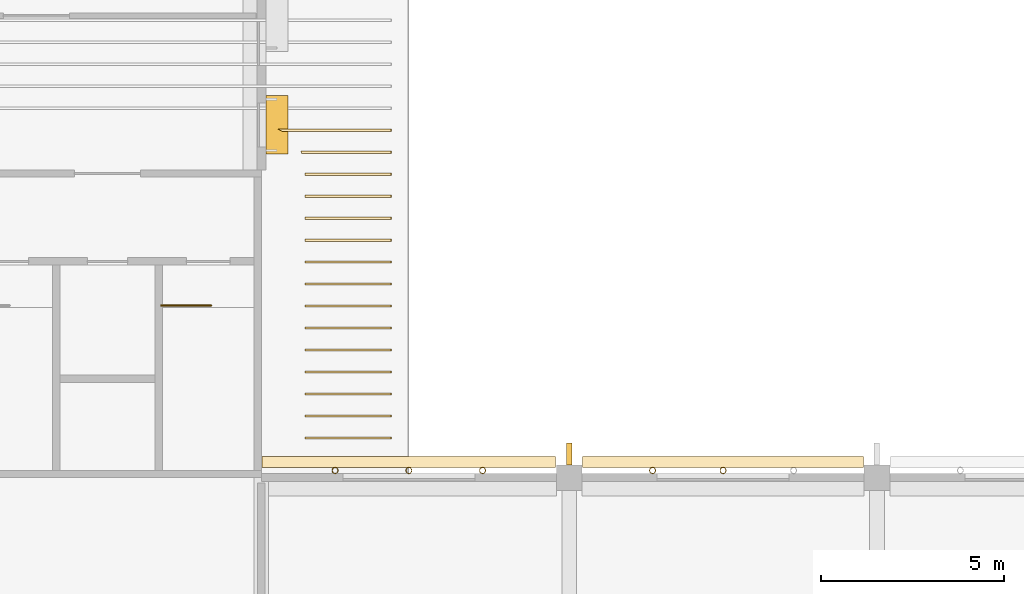
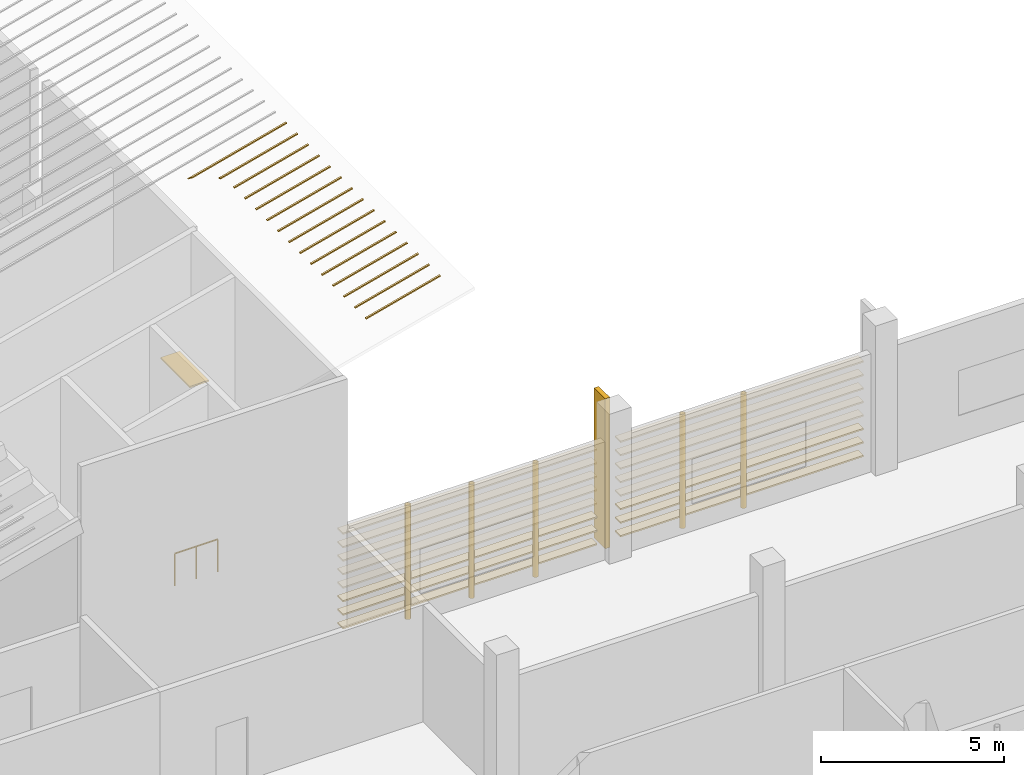
# One storey, part 47 of 82: 31 coverings, 7 shading devices, 1 railing.
"""IFC4 building model written with IfcOpenShell, lengths in metres."""

from ifc_helpers import new_model, si_unit, direction, frame, origin, origin_2d, place, context, subcontext, project, spatial, polyline, rectangle, circle, hollow_circle, outline, extrude, material, layer, layer_set, material_profile, profile_set, type_object, element, save


model = new_model("IFC4")

# Units and contexts
model_context = context("Model", 3, precision=1e-05, world=origin(), true_north=direction((0.0, 1.0)))
body_context = subcontext(model_context, "Body", "Model", "MODEL_VIEW")
ifc_project = project(units=[si_unit("LENGTHUNIT", "METRE"), si_unit("AREAUNIT", "SQUARE_METRE"), si_unit("VOLUMEUNIT", "CUBIC_METRE"), si_unit("PLANEANGLEUNIT", "RADIAN"), si_unit("MASSUNIT", "GRAM", prefix="KILO")], contexts=[model_context])

# Site, building, storey
site_placement = place(None, origin())
site = spatial("IfcSite", under=ifc_project, at=site_placement, CompositionType="ELEMENT")
building_placement = place(site_placement, origin())
building = spatial("IfcBuilding", under=site, at=building_placement, Name="Almond Square Museum", CompositionType="ELEMENT")
storey_placement = place(building_placement, frame((0.0, 0.0, 20.0)))
storey = spatial("IfcBuildingStorey", under=building, at=storey_placement, Name="L03", CompositionType="ELEMENT", Elevation=20.0)

# Shading devices
ifc_material_1 = material(Name="Structural steel S355", Category="steel")
ifc_material_profile_1 = material_profile(ifc_material_1, hollow_circle(Radius=0.084228515625, WallThickness=0.008056640625, at=origin_2d()))
ifc_profile_set_1 = profile_set([ifc_material_profile_1], Name="Structural steel S355")
shading_device_type_1 = type_object("IfcShadingDeviceType", Name="Louvre post CHS 168.3 x 8", PredefinedType="USERDEFINED", material=ifc_profile_set_1)
for number, where, z_axis, x_axis, name in (
    (1, (33.47509765625, 16.994140625, 0.0), (0.0, 0.0, 1.0), (1.0, 0.0, 0.0), "Louvre screen post"),
    (2, (35.39990234375, 16.994140625, 0.0), (0.0, 0.0, 1.0), (1.0, 0.0, 0.0), "Louvre screen post"),
    (3, (24.8125, 16.994140625, 0.0), (0.0, 0.0, 1.0), (1.0, 0.0, 0.0), "Louvre screen post"),
    (4, (26.824951171875, 16.994140625, 0.0), (0.0, 0.0, 1.0), (1.0, 0.0, 0.0), "Louvre screen post"),
    (5, (28.83740234375, 16.994140625, 0.0), (0.0, 0.0, 1.0), (1.0, 0.0, 0.0), "Louvre screen post"),
):
    element("IfcShadingDevice", number, at=place(storey_placement, frame(where, z_axis=z_axis, x_axis=x_axis)), inside=storey, type_object=shading_device_type_1, Name=name, ObjectType="POST", PredefinedType="USERDEFINED", context=body_context, shape_type="SweptSolid", body=[
        extrude(hollow_circle(Radius=0.084228515625, WallThickness=0.008056640625, at=origin_2d()), origin(), (0.0, 0.0, 1.0), 3.800048828125),
    ])

# Coverings
ifc_material_2 = material(Name="Cedar timber louvre board", Category="wood")
ifc_material_profile_2 = material_profile(ifc_material_2, rectangle(XDim=0.300048828125, YDim=0.050048828125, at=origin_2d()))
ifc_profile_set_2 = profile_set([ifc_material_profile_2], Name="Cedar timber louvre board")
covering_type_1 = type_object("IfcCoveringType", Name="Louvre screen board 300 x 50", PredefinedType="CLADDING", material=ifc_profile_set_2)
for number, where, z_axis, x_axis, name in (
    (6, (31.570068359375, 17.224365234375, 0.300048828125), (1.0, 0.0, 0.0), (0.0, 1.0, 0.0), "Louvre screen board"),
    (7, (31.570068359375, 17.224365234375, 0.75), (1.0, 0.0, 0.0), (0.0, 1.0, 0.0), "Louvre screen board"),
    (8, (31.570068359375, 17.224365234375, 1.199951171875), (1.0, 0.0, 0.0), (0.0, 1.0, 0.0), "Louvre screen board"),
    (9, (31.570068359375, 17.224365234375, 1.64990234375), (1.0, 0.0, 0.0), (0.0, 1.0, 0.0), "Louvre screen board"),
    (10, (31.570068359375, 17.224365234375, 2.10009765625), (1.0, 0.0, 0.0), (0.0, 1.0, 0.0), "Louvre screen board"),
    (11, (31.570068359375, 17.224365234375, 2.550048828125), (1.0, 0.0, 0.0), (0.0, 1.0, 0.0), "Louvre screen board"),
    (12, (31.570068359375, 17.224365234375, 3.0), (1.0, 0.0, 0.0), (0.0, 1.0, 0.0), "Louvre screen board"),
    (13, (31.570068359375, 17.224365234375, 3.449951171875), (1.0, 0.0, 0.0), (0.0, 1.0, 0.0), "Louvre screen board"),
):
    element("IfcCovering", number, at=place(storey_placement, frame(where, z_axis=z_axis, x_axis=x_axis)), inside=storey, type_object=covering_type_1, Name=name, PredefinedType="CLADDING", context=body_context, shape_type="SweptSolid", body=[
        extrude(rectangle(XDim=0.300048828125, YDim=0.050048828125, at=origin_2d()), origin(), (0.0, 0.0, 1.0), 7.659912109375),
    ])
for number, where, z_axis, x_axis, name in (
    (14, (22.820068359375, 17.224365234375, 0.300048828125), (1.0, 0.0, 0.0), (0.0, 1.0, 0.0), "Louvre screen board"),
    (15, (22.820068359375, 17.224365234375, 0.75), (1.0, 0.0, 0.0), (0.0, 1.0, 0.0), "Louvre screen board"),
    (16, (22.820068359375, 17.224365234375, 1.199951171875), (1.0, 0.0, 0.0), (0.0, 1.0, 0.0), "Louvre screen board"),
    (17, (22.820068359375, 17.224365234375, 1.64990234375), (1.0, 0.0, 0.0), (0.0, 1.0, 0.0), "Louvre screen board"),
    (18, (22.820068359375, 17.224365234375, 2.10009765625), (1.0, 0.0, 0.0), (0.0, 1.0, 0.0), "Louvre screen board"),
    (19, (22.820068359375, 17.224365234375, 2.550048828125), (1.0, 0.0, 0.0), (0.0, 1.0, 0.0), "Louvre screen board"),
    (20, (22.820068359375, 17.224365234375, 3.0), (1.0, 0.0, 0.0), (0.0, 1.0, 0.0), "Louvre screen board"),
    (21, (22.820068359375, 17.224365234375, 3.449951171875), (1.0, 0.0, 0.0), (0.0, 1.0, 0.0), "Louvre screen board"),
):
    element("IfcCovering", number, at=place(storey_placement, frame(where, z_axis=z_axis, x_axis=x_axis)), inside=storey, type_object=covering_type_1, Name=name, PredefinedType="CLADDING", context=body_context, shape_type="SweptSolid", body=[
        extrude(rectangle(XDim=0.300048828125, YDim=0.050048828125, at=origin_2d()), origin(), (0.0, 0.0, 1.0), 8.010009765625),
    ])
ifc_material_3 = material(Name="Zinc standing seam")
ifc_layer = layer(ifc_material_3, 0.0400390625)
ifc_layer_set = layer_set([ifc_layer], Name="Zinc standing seam")
covering_type_2 = type_object("IfcCoveringType", Name="Roof standing seam rib 60 x 40", PredefinedType="CLADDING", material=ifc_layer_set)
covering_1_placement = place(storey_placement, frame((26.35009765625, 17.909912109375, 10.329833984375), z_axis=(-0.253350435153, 0.0, 0.967374569134), x_axis=(-0.967374569134, 0.0, -0.253350435153)))
element("IfcCovering", 22, at=covering_1_placement, inside=storey, type_object=covering_type_2, Name="Roof standing seam rib", PredefinedType="CLADDING", context=body_context, shape_type="SweptSolid", body=[
    extrude(outline(polyline([(0.0, 0.0), (2.429356457399304, 0.0), (2.429356457399304, 0.059814453125000014), (0.0, 0.059814453125000014), (0.0, 0.0)])), origin(), (0.0, 0.0, 1.0), 0.0400390625),
])
for number, where, z_axis, x_axis, name in (
    (23, (26.35009765625, 18.510009765625, 10.329833984375), (-0.253350435153, 0.0, 0.967374569134), (-0.967374569134, 0.0, -0.253350435153), "Roof standing seam rib"),
    (24, (26.35009765625, 19.110107421875, 10.329833984375), (-0.253350435153, 0.0, 0.967374569134), (-0.967374569134, 0.0, -0.253350435153), "Roof standing seam rib"),
    (25, (26.35009765625, 19.7099609375, 10.329833984375), (-0.253350435153, 0.0, 0.967374569134), (-0.967374569134, 0.0, -0.253350435153), "Roof standing seam rib"),
    (26, (26.35009765625, 20.31005859375, 10.329833984375), (-0.253350435153, 0.0, 0.967374569134), (-0.967374569134, 0.0, -0.253350435153), "Roof standing seam rib"),
):
    element("IfcCovering", number, at=place(storey_placement, frame(where, z_axis=z_axis, x_axis=x_axis)), inside=storey, type_object=covering_type_2, Name=name, PredefinedType="CLADDING", context=body_context, shape_type="SweptSolid", body=[
        extrude(outline(polyline([(0.0, 0.0), (2.429356457399304, 0.0), (2.429356457399304, 0.060058593750000014), (0.0, 0.060058593750000014), (0.0, 0.0)])), origin(), (0.0, 0.0, 1.0), 0.0400390625),
    ])
covering_2_placement = place(storey_placement, frame((26.35009765625, 20.909912109375, 10.329833984375), z_axis=(-0.253350435153, 0.0, 0.967374569134), x_axis=(-0.967374569134, 0.0, -0.253350435153)))
element("IfcCovering", 27, at=covering_2_placement, inside=storey, type_object=covering_type_2, Name="Roof standing seam rib", PredefinedType="CLADDING", context=body_context, shape_type="SweptSolid", body=[
    extrude(outline(polyline([(0.0, 0.0), (2.429356457399304, 0.0), (2.429356457399304, 0.059814453125000014), (0.0, 0.059814453125000014), (0.0, 0.0)])), origin(), (0.0, 0.0, 1.0), 0.0400390625),
])
for number, where, z_axis, x_axis, name in (
    (28, (26.35009765625, 21.510009765625, 10.329833984375), (-0.253350435153, 0.0, 0.967374569134), (-0.967374569134, 0.0, -0.253350435153), "Roof standing seam rib"),
    (29, (26.35009765625, 22.110107421875, 10.329833984375), (-0.253350435153, 0.0, 0.967374569134), (-0.967374569134, 0.0, -0.253350435153), "Roof standing seam rib"),
    (30, (26.35009765625, 22.7099609375, 10.329833984375), (-0.253350435153, 0.0, 0.967374569134), (-0.967374569134, 0.0, -0.253350435153), "Roof standing seam rib"),
    (31, (26.35009765625, 23.31005859375, 10.329833984375), (-0.253350435153, 0.0, 0.967374569134), (-0.967374569134, 0.0, -0.253350435153), "Roof standing seam rib"),
):
    element("IfcCovering", number, at=place(storey_placement, frame(where, z_axis=z_axis, x_axis=x_axis)), inside=storey, type_object=covering_type_2, Name=name, PredefinedType="CLADDING", context=body_context, shape_type="SweptSolid", body=[
        extrude(outline(polyline([(0.0, 0.0), (2.429356457399304, 0.0), (2.429356457399304, 0.060058593750000014), (0.0, 0.060058593750000014), (0.0, 0.0)])), origin(), (0.0, 0.0, 1.0), 0.0400390625),
    ])
covering_3_placement = place(storey_placement, frame((26.35009765625, 23.909912109375, 10.329833984375), z_axis=(-0.253350435153, 0.0, 0.967374569134), x_axis=(-0.967374569134, 0.0, -0.253350435153)))
element("IfcCovering", 32, at=covering_3_placement, inside=storey, type_object=covering_type_2, Name="Roof standing seam rib", PredefinedType="CLADDING", context=body_context, shape_type="SweptSolid", body=[
    extrude(outline(polyline([(0.0, 0.0), (2.429356457399304, 0.0), (2.429356457399304, 0.059814453125000014), (0.0, 0.059814453125000014), (0.0, 0.0)])), origin(), (0.0, 0.0, 1.0), 0.0400390625),
])
for number, where, z_axis, x_axis, name in (
    (33, (26.35009765625, 24.510009765625, 10.329833984375), (-0.253350435153, 0.0, 0.967374569134), (-0.967374569134, 0.0, -0.253350435153), "Roof standing seam rib"),
    (34, (26.35009765625, 25.110107421875, 10.329833984375), (-0.253350435153, 0.0, 0.967374569134), (-0.967374569134, 0.0, -0.253350435153), "Roof standing seam rib"),
):
    element("IfcCovering", number, at=place(storey_placement, frame(where, z_axis=z_axis, x_axis=x_axis)), inside=storey, type_object=covering_type_2, Name=name, PredefinedType="CLADDING", context=body_context, shape_type="SweptSolid", body=[
        extrude(outline(polyline([(0.0, 0.0), (2.429356457399304, 0.0), (2.429356457399304, 0.060058593750000014), (0.0, 0.060058593750000014), (0.0, 0.0)])), origin(), (0.0, 0.0, 1.0), 0.0400390625),
    ])
covering_4_placement = place(storey_placement, frame((23.912109375, 25.64990234375, 9.691162109375), z_axis=(-0.253388190848, -0.001177460605, 0.967363963731), x_axis=(0.967364634305, 3.3039e-08, 0.253388366537)))
element("IfcCovering", 35, at=covering_4_placement, inside=storey, type_object=covering_type_2, Name="Roof standing seam rib", PredefinedType="CLADDING", context=body_context, shape_type="SweptSolid", body=[
    extrude(outline(polyline([(0.0, 0.0), (2.5202556652902306, -1.0842021724855044e-19), (2.52025566727449, 0.06005855211696367), (-0.028481557172483234, 0.06005871959016176), (0.0, 0.0)])), origin(), (0.0, 0.0, 1.0), 0.0400390625),
])
covering_5_placement = place(storey_placement, frame((26.35009765625, 26.25, 10.329833984375), z_axis=(-0.253377591239, 0.000401264051, 0.967367373465), x_axis=(0.000101671327, 0.999999919494, -0.000388169782)))
element("IfcCovering", 36, at=covering_5_placement, inside=storey, type_object=covering_type_2, Name="Roof standing seam rib", PredefinedType="CLADDING", context=body_context, shape_type="SweptSolid", body=[
    extrude(outline(polyline([(0.0, 0.0), (0.06005858891489748, 0.0), (0.06005859858510291, 3.1988760049875107), (-9.670205428297454e-09, 3.0709085928343165), (0.0, 0.0)])), origin(), (0.0, 0.0, 1.0), 0.0400390625),
])

# Railing
ifc_material_4 = material(Name="Stainless steel and laminated glass", Category="steel")
railing_type = type_object("IfcRailingType", Name="Stair guard 1100 steel and glass", PredefinedType="GUARDRAIL", material=ifc_material_4)
railing_placement = place(storey_placement, frame((20.070068359375, 21.5, 0.0)))
element("IfcRailing", 37, at=railing_placement, inside=storey, type_object=railing_type, Name="L03 ST-22 top well guard 1", PredefinedType="GUARDRAIL", context=body_context, shape_type="SweptSolid", body=[
    extrude(circle(Radius=0.02392578125, at=origin_2d()), frame((0.0, 0.0, 1.076171875), z_axis=(1.0, 0.0, 0.0), x_axis=(0.0, 1.0, 0.0)), (0.0, 0.0, 1.0), 1.349853515625),
    extrude(circle(Radius=0.02099609375, at=origin_2d()), origin(), (0.0, 0.0, 1.0), 1.052001953125),
    extrude(circle(Radius=0.02099609375, at=origin_2d()), frame((0.6748046875, 0.0, 0.0)), (0.0, 0.0, 1.0), 1.052001953125),
    extrude(circle(Radius=0.02099609375, at=origin_2d()), frame((1.349853515625, 0.0, 0.0)), (0.0, 0.0, 1.0), 1.052001953125),
])

# Shading devices
ifc_material_5 = material(Name="Anodised aluminium", Category="aluminium")
ifc_material_profile_3 = material_profile(ifc_material_5, rectangle(XDim=0.60009765625, YDim=0.050048828125, at=origin_2d()))
ifc_profile_set_3 = profile_set([ifc_material_profile_3], Name="Anodised aluminium")
shading_device_type_2 = type_object("IfcShadingDeviceType", Name="Sun-shade blade 600 x 50", PredefinedType="USERDEFINED", material=ifc_profile_set_3)
shading_device_1_placement = place(storey_placement, frame((23.222900390625, 25.625, 3.1201171875), z_axis=(0.0, 1.0, 0.0), x_axis=(-1.0, 0.0, 0.0)))
element("IfcShadingDevice", 38, at=shading_device_1_placement, inside=storey, type_object=shading_device_type_2, Name="Sun-shade blade", ObjectType="LOUVRE", PredefinedType="USERDEFINED", context=body_context, shape_type="SweptSolid", body=[
    extrude(rectangle(XDim=0.60009765625, YDim=0.050048828125, at=origin_2d()), origin(), (0.0, 0.0, 1.0), 1.60009765625),
])
ifc_material_6 = material(Name="Cedar timber fin", Category="wood")
shading_device_type_3 = type_object("IfcShadingDeviceType", Name="Timber storm fin 150 x 600", PredefinedType="USERDEFINED", material=ifc_material_6)
shading_device_2_placement = place(storey_placement, frame((31.199951171875, 17.449951171875, 0.0), z_axis=(0.0, 0.0, 1.0), x_axis=(1.0, 0.0, 0.0)))
element("IfcShadingDevice", 39, at=shading_device_2_placement, inside=storey, type_object=shading_device_type_3, Name="Timber storm fin", ObjectType="FIN", PredefinedType="USERDEFINED", context=body_context, shape_type="SweptSolid", body=[
    extrude(rectangle(XDim=0.14990234375, YDim=0.60009765625, at=origin_2d()), origin(), (0.0, 0.0, 1.0), 5.0),
])

save(model, "model.ifc")
